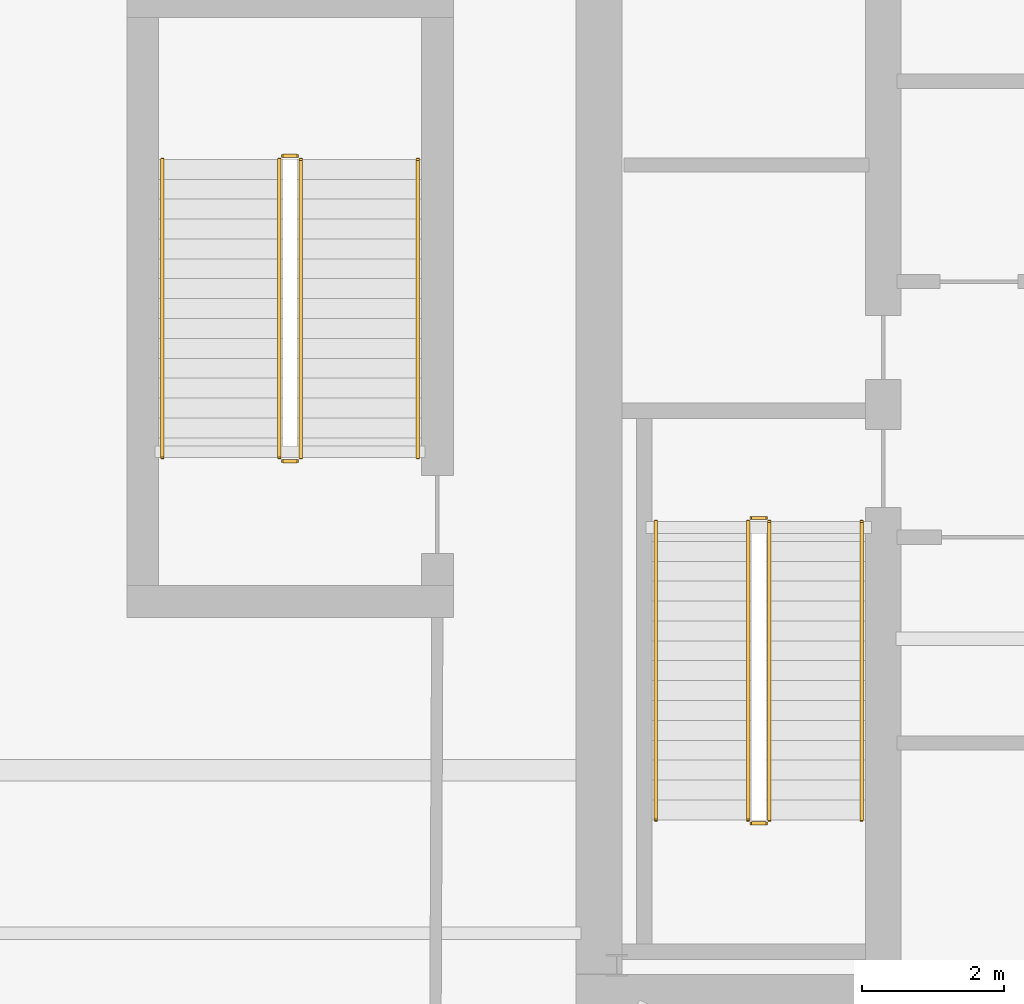
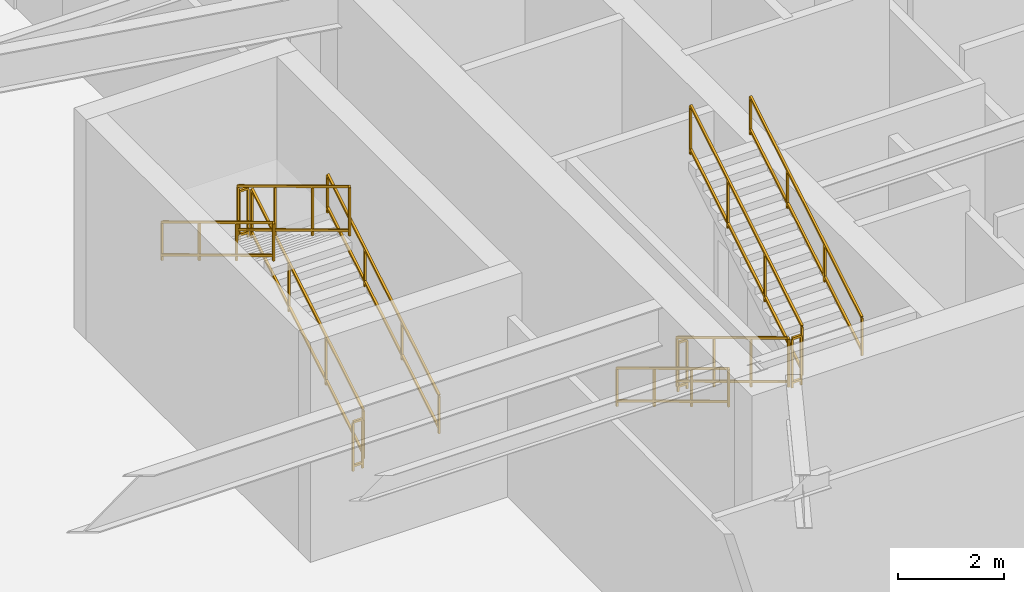
# One storey, part 8 of 11: 12 railings.
"""IFC4 building model written with IfcOpenShell, lengths in metres."""

from ifc_helpers import new_model, si_unit, direction, frame, origin, origin_2d, place, context, subcontext, project, spatial, rectangle, extrude, material, type_object, element, save


model = new_model("IFC4")

# Units and contexts
model_context = context("Model", 3, precision=1e-05, world=origin(), true_north=direction((0.0, 1.0)))
body_context = subcontext(model_context, "Body", "Model", "MODEL_VIEW")
ifc_project = project(units=[si_unit("LENGTHUNIT", "METRE"), si_unit("AREAUNIT", "SQUARE_METRE"), si_unit("VOLUMEUNIT", "CUBIC_METRE"), si_unit("PLANEANGLEUNIT", "RADIAN"), si_unit("MASSUNIT", "GRAM", prefix="KILO")], contexts=[model_context])

# Site, building, storey
site_placement = place(None, origin())
site = spatial("IfcSite", under=ifc_project, at=site_placement, CompositionType="ELEMENT")
building_placement = place(site_placement, origin())
building = spatial("IfcBuilding", under=site, at=building_placement, Name="Qarnah Convention Tower", CompositionType="ELEMENT")
storey_placement = place(building_placement, frame((0.0, 0.0, 10.800048828125)))
storey = spatial("IfcBuildingStorey", under=building, at=storey_placement, Name="L02", CompositionType="ELEMENT", Elevation=10.800048828125)

# Railings
ifc_material = material(Name="Structural steel S355JR", Category="steel")
railing_type_1 = type_object("IfcRailingType", Name="RL-STAIR-GUARD-1150", PredefinedType="GUARDRAIL", material=ifc_material)
railing_1_placement = place(storey_placement, frame((28.89990234375, 25.300048828125, 0.168701171875)))
element("IfcRailing", 1, at=railing_1_placement, inside=storey, type_object=railing_type_1, Name="L02 ST-1 stair guard 1", PredefinedType="GUARDRAIL", context=body_context, shape_type="SweptSolid", body=[
    extrude(rectangle(XDim=0.048095703125, YDim=0.048095703125, at=origin_2d()), frame((0.0, 0.0, 1.1259765625), z_axis=(0.0, -0.856476492594, 0.516186030065), x_axis=(1.0, 0.0, 0.0)), (0.0, 0.0, 1.0), 4.90380859375),
    extrude(rectangle(XDim=0.048095703125, YDim=0.048095703125, at=origin_2d()), frame((0.0, 0.0, 0.1201171875), z_axis=(0.0, -0.856476492594, 0.516186030065), x_axis=(1.0, 0.0, 0.0)), (0.0, 0.0, 1.0), 4.90380859375),
    extrude(rectangle(XDim=0.0419921875, YDim=0.0419921875, at=origin_2d()), origin(), (0.0, 0.0, 1.0), 1.101806640625),
    extrude(rectangle(XDim=0.0419921875, YDim=0.0419921875, at=origin_2d()), frame((0.0, -1.39990234375, 0.84375)), (0.0, 0.0, 1.0), 1.101806640625),
    extrude(rectangle(XDim=0.0419921875, YDim=0.0419921875, at=origin_2d()), frame((0.0, -2.800048828125, 1.6875)), (0.0, 0.0, 1.0), 1.101806640625),
    extrude(rectangle(XDim=0.0419921875, YDim=0.0419921875, at=origin_2d()), frame((0.0, -4.199951171875, 2.53125)), (0.0, 0.0, 1.0), 1.101806640625),
])
railing_2_placement = place(storey_placement, frame((28.949951171875, 21.050048828125, 2.699951171875)))
element("IfcRailing", 2, at=railing_2_placement, inside=storey, type_object=railing_type_1, Name="L02 ST-1 stair guard 2", PredefinedType="GUARDRAIL", context=body_context, shape_type="SweptSolid", body=[
    extrude(rectangle(XDim=0.048095703125, YDim=0.048095703125, at=origin_2d()), frame((0.0, 0.0, 1.1259765625), z_axis=(1.0, 0.0, 0.0), x_axis=(0.0, 1.0, 0.0)), (0.0, 0.0, 1.0), 0.199951171875),
    extrude(rectangle(XDim=0.048095703125, YDim=0.048095703125, at=origin_2d()), frame((0.0, 0.0, 0.1201171875), z_axis=(1.0, 0.0, 0.0), x_axis=(0.0, 1.0, 0.0)), (0.0, 0.0, 1.0), 0.199951171875),
    extrude(rectangle(XDim=0.0419921875, YDim=0.0419921875, at=origin_2d()), origin(), (0.0, 0.0, 1.0), 1.101806640625),
    extrude(rectangle(XDim=0.0419921875, YDim=0.0419921875, at=origin_2d()), frame((0.199951171875, 0.0, 0.0)), (0.0, 0.0, 1.0), 1.101806640625),
])
railing_3_placement = place(storey_placement, frame((29.199951171875, 21.10009765625, 2.86865234375)))
element("IfcRailing", 3, at=railing_3_placement, inside=storey, type_object=railing_type_1, Name="L02 ST-1 stair guard 3", PredefinedType="GUARDRAIL", context=body_context, shape_type="SweptSolid", body=[
    extrude(rectangle(XDim=0.048095703125, YDim=0.048095703125, at=origin_2d()), frame((0.0, 0.0, 1.1259765625), z_axis=(0.0, 0.856476492594, 0.516186030065), x_axis=(-1.0, 0.0, 0.0)), (0.0, 0.0, 1.0), 4.90380859375),
    extrude(rectangle(XDim=0.048095703125, YDim=0.048095703125, at=origin_2d()), frame((0.0, 0.0, 0.1201171875), z_axis=(0.0, 0.856476492594, 0.516186030065), x_axis=(-1.0, 0.0, 0.0)), (0.0, 0.0, 1.0), 4.90380859375),
    extrude(rectangle(XDim=0.0419921875, YDim=0.0419921875, at=origin_2d()), origin(), (0.0, 0.0, 1.0), 1.101806640625),
    extrude(rectangle(XDim=0.0419921875, YDim=0.0419921875, at=origin_2d()), frame((0.0, 1.39990234375, 0.84375)), (0.0, 0.0, 1.0), 1.101806640625),
    extrude(rectangle(XDim=0.0419921875, YDim=0.0419921875, at=origin_2d()), frame((0.0, 2.800048828125, 1.6875)), (0.0, 0.0, 1.0), 1.101806640625),
    extrude(rectangle(XDim=0.0419921875, YDim=0.0419921875, at=origin_2d()), frame((0.0, 4.199951171875, 2.53125)), (0.0, 0.0, 1.0), 1.101806640625),
])
railing_4_placement = place(storey_placement, frame((28.949951171875, 25.35009765625, 0.0)))
element("IfcRailing", 4, at=railing_4_placement, inside=storey, type_object=railing_type_1, Name="L02 ST-1 stair guard 4", PredefinedType="GUARDRAIL", context=body_context, shape_type="SweptSolid", body=[
    extrude(rectangle(XDim=0.048095703125, YDim=0.048095703125, at=origin_2d()), frame((0.0, 0.0, 1.1259765625), z_axis=(1.0, 0.0, 0.0), x_axis=(0.0, 1.0, 0.0)), (0.0, 0.0, 1.0), 0.199951171875),
    extrude(rectangle(XDim=0.048095703125, YDim=0.048095703125, at=origin_2d()), frame((0.0, 0.0, 0.1201171875), z_axis=(1.0, 0.0, 0.0), x_axis=(0.0, 1.0, 0.0)), (0.0, 0.0, 1.0), 0.199951171875),
    extrude(rectangle(XDim=0.0419921875, YDim=0.0419921875, at=origin_2d()), origin(), (0.0, 0.0, 1.0), 1.101806640625),
    extrude(rectangle(XDim=0.0419921875, YDim=0.0419921875, at=origin_2d()), frame((0.199951171875, 0.0, 0.0)), (0.0, 0.0, 1.0), 1.101806640625),
])
railing_5_placement = place(storey_placement, frame((22.60009765625, 26.199951171875, 0.168701171875)))
element("IfcRailing", 5, at=railing_5_placement, inside=storey, type_object=railing_type_1, Name="L02 ST-5 stair guard 1", PredefinedType="GUARDRAIL", context=body_context, shape_type="SweptSolid", body=[
    extrude(rectangle(XDim=0.048095703125, YDim=0.048095703125, at=origin_2d()), frame((0.0, 0.0, 1.1259765625), z_axis=(0.0, 0.856476492594, 0.516186030065), x_axis=(-1.0, 0.0, 0.0)), (0.0, 0.0, 1.0), 4.90380859375),
    extrude(rectangle(XDim=0.048095703125, YDim=0.048095703125, at=origin_2d()), frame((0.0, 0.0, 0.1201171875), z_axis=(0.0, 0.856476492594, 0.516186030065), x_axis=(-1.0, 0.0, 0.0)), (0.0, 0.0, 1.0), 4.90380859375),
    extrude(rectangle(XDim=0.0419921875, YDim=0.0419921875, at=origin_2d()), origin(), (0.0, 0.0, 1.0), 1.101806640625),
    extrude(rectangle(XDim=0.0419921875, YDim=0.0419921875, at=origin_2d()), frame((0.0, 1.39990234375, 0.84375)), (0.0, 0.0, 1.0), 1.101806640625),
    extrude(rectangle(XDim=0.0419921875, YDim=0.0419921875, at=origin_2d()), frame((0.0, 2.800048828125, 1.6875)), (0.0, 0.0, 1.0), 1.101806640625),
    extrude(rectangle(XDim=0.0419921875, YDim=0.0419921875, at=origin_2d()), frame((0.0, 4.199951171875, 2.53125)), (0.0, 0.0, 1.0), 1.101806640625),
])
railing_6_placement = place(storey_placement, frame((22.550048828125, 30.449951171875, 2.699951171875)))
element("IfcRailing", 6, at=railing_6_placement, inside=storey, type_object=railing_type_1, Name="L02 ST-5 stair guard 2", PredefinedType="GUARDRAIL", context=body_context, shape_type="SweptSolid", body=[
    extrude(rectangle(XDim=0.048095703125, YDim=0.048095703125, at=origin_2d()), frame((0.0, 0.0, 1.1259765625), z_axis=(-1.0, 0.0, 0.0), x_axis=(0.0, -1.0, 0.0)), (0.0, 0.0, 1.0), 0.199951171875),
    extrude(rectangle(XDim=0.048095703125, YDim=0.048095703125, at=origin_2d()), frame((0.0, 0.0, 0.1201171875), z_axis=(-1.0, 0.0, 0.0), x_axis=(0.0, -1.0, 0.0)), (0.0, 0.0, 1.0), 0.199951171875),
    extrude(rectangle(XDim=0.0419921875, YDim=0.0419921875, at=origin_2d()), origin(), (0.0, 0.0, 1.0), 1.101806640625),
    extrude(rectangle(XDim=0.0419921875, YDim=0.0419921875, at=origin_2d()), frame((-0.199951171875, 0.0, 0.0)), (0.0, 0.0, 1.0), 1.101806640625),
])
railing_7_placement = place(storey_placement, frame((22.300048828125, 30.39990234375, 2.86865234375)))
element("IfcRailing", 7, at=railing_7_placement, inside=storey, type_object=railing_type_1, Name="L02 ST-5 stair guard 3", PredefinedType="GUARDRAIL", context=body_context, shape_type="SweptSolid", body=[
    extrude(rectangle(XDim=0.048095703125, YDim=0.048095703125, at=origin_2d()), frame((0.0, 0.0, 1.1259765625), z_axis=(0.0, -0.856476492594, 0.516186030065), x_axis=(1.0, 0.0, 0.0)), (0.0, 0.0, 1.0), 4.90380859375),
    extrude(rectangle(XDim=0.048095703125, YDim=0.048095703125, at=origin_2d()), frame((0.0, 0.0, 0.1201171875), z_axis=(0.0, -0.856476492594, 0.516186030065), x_axis=(1.0, 0.0, 0.0)), (0.0, 0.0, 1.0), 4.90380859375),
    extrude(rectangle(XDim=0.0419921875, YDim=0.0419921875, at=origin_2d()), origin(), (0.0, 0.0, 1.0), 1.101806640625),
    extrude(rectangle(XDim=0.0419921875, YDim=0.0419921875, at=origin_2d()), frame((0.0, -1.39990234375, 0.84375)), (0.0, 0.0, 1.0), 1.101806640625),
    extrude(rectangle(XDim=0.0419921875, YDim=0.0419921875, at=origin_2d()), frame((0.0, -2.800048828125, 1.6875)), (0.0, 0.0, 1.0), 1.101806640625),
    extrude(rectangle(XDim=0.0419921875, YDim=0.0419921875, at=origin_2d()), frame((0.0, -4.199951171875, 2.53125)), (0.0, 0.0, 1.0), 1.101806640625),
])
railing_8_placement = place(storey_placement, frame((22.550048828125, 26.14990234375, 0.0)))
element("IfcRailing", 8, at=railing_8_placement, inside=storey, type_object=railing_type_1, Name="L02 ST-5 stair guard 4", PredefinedType="GUARDRAIL", context=body_context, shape_type="SweptSolid", body=[
    extrude(rectangle(XDim=0.048095703125, YDim=0.048095703125, at=origin_2d()), frame((0.0, 0.0, 1.1259765625), z_axis=(-1.0, 0.0, 0.0), x_axis=(0.0, -1.0, 0.0)), (0.0, 0.0, 1.0), 0.199951171875),
    extrude(rectangle(XDim=0.048095703125, YDim=0.048095703125, at=origin_2d()), frame((0.0, 0.0, 0.1201171875), z_axis=(-1.0, 0.0, 0.0), x_axis=(0.0, -1.0, 0.0)), (0.0, 0.0, 1.0), 0.199951171875),
    extrude(rectangle(XDim=0.0419921875, YDim=0.0419921875, at=origin_2d()), origin(), (0.0, 0.0, 1.0), 1.101806640625),
    extrude(rectangle(XDim=0.0419921875, YDim=0.0419921875, at=origin_2d()), frame((-0.199951171875, 0.0, 0.0)), (0.0, 0.0, 1.0), 1.101806640625),
])
railing_type_2 = type_object("IfcRailingType", Name="RL-STAIR-HAND-900", PredefinedType="HANDRAIL", material=ifc_material)
railing_9_placement = place(storey_placement, frame((27.60009765625, 25.300048828125, 0.168701171875)))
element("IfcRailing", 9, at=railing_9_placement, inside=storey, type_object=railing_type_2, Name="L02 ST-1 stair handrail 1", PredefinedType="HANDRAIL", context=body_context, shape_type="SweptSolid", body=[
    extrude(rectangle(XDim=0.048095703125, YDim=0.048095703125, at=origin_2d()), frame((0.0, 0.0, 0.8759765625), z_axis=(0.0, -0.856476492594, 0.516186030065), x_axis=(1.0, 0.0, 0.0)), (0.0, 0.0, 1.0), 4.90380859375),
    extrude(rectangle(XDim=0.048095703125, YDim=0.048095703125, at=origin_2d()), frame((0.0, 0.0, 0.1201171875), z_axis=(0.0, -0.856476492594, 0.516186030065), x_axis=(1.0, 0.0, 0.0)), (0.0, 0.0, 1.0), 4.90380859375),
    extrude(rectangle(XDim=0.0419921875, YDim=0.0419921875, at=origin_2d()), origin(), (0.0, 0.0, 1.0), 0.851806640625),
    extrude(rectangle(XDim=0.0419921875, YDim=0.0419921875, at=origin_2d()), frame((0.0, -1.39990234375, 0.84375)), (0.0, 0.0, 1.0), 0.851806640625),
    extrude(rectangle(XDim=0.0419921875, YDim=0.0419921875, at=origin_2d()), frame((0.0, -2.800048828125, 1.6875)), (0.0, 0.0, 1.0), 0.851806640625),
    extrude(rectangle(XDim=0.0419921875, YDim=0.0419921875, at=origin_2d()), frame((0.0, -4.199951171875, 2.53125)), (0.0, 0.0, 1.0), 0.851806640625),
])
for number, where, name in (
    (10, (30.5, 21.10009765625, 2.86865234375), "L02 ST-1 stair handrail 2"),
    (11, (24.25, 26.199951171875, 0.168701171875), "L02 ST-5 stair handrail 1"),
):
    element("IfcRailing", number, at=place(storey_placement, frame(where)), inside=storey, type_object=railing_type_2, Name=name, PredefinedType="HANDRAIL", context=body_context, shape_type="SweptSolid", body=[
        extrude(rectangle(XDim=0.048095703125, YDim=0.048095703125, at=origin_2d()), frame((0.0, 0.0, 0.8759765625), z_axis=(0.0, 0.856476492594, 0.516186030065), x_axis=(-1.0, 0.0, 0.0)), (0.0, 0.0, 1.0), 4.90380859375),
        extrude(rectangle(XDim=0.048095703125, YDim=0.048095703125, at=origin_2d()), frame((0.0, 0.0, 0.1201171875), z_axis=(0.0, 0.856476492594, 0.516186030065), x_axis=(-1.0, 0.0, 0.0)), (0.0, 0.0, 1.0), 4.90380859375),
        extrude(rectangle(XDim=0.0419921875, YDim=0.0419921875, at=origin_2d()), origin(), (0.0, 0.0, 1.0), 0.851806640625),
        extrude(rectangle(XDim=0.0419921875, YDim=0.0419921875, at=origin_2d()), frame((0.0, 1.39990234375, 0.84375)), (0.0, 0.0, 1.0), 0.851806640625),
        extrude(rectangle(XDim=0.0419921875, YDim=0.0419921875, at=origin_2d()), frame((0.0, 2.800048828125, 1.6875)), (0.0, 0.0, 1.0), 0.851806640625),
        extrude(rectangle(XDim=0.0419921875, YDim=0.0419921875, at=origin_2d()), frame((0.0, 4.199951171875, 2.53125)), (0.0, 0.0, 1.0), 0.851806640625),
    ])
railing_10_placement = place(storey_placement, frame((20.64990234375, 30.39990234375, 2.86865234375)))
element("IfcRailing", 12, at=railing_10_placement, inside=storey, type_object=railing_type_2, Name="L02 ST-5 stair handrail 2", PredefinedType="HANDRAIL", context=body_context, shape_type="SweptSolid", body=[
    extrude(rectangle(XDim=0.048095703125, YDim=0.048095703125, at=origin_2d()), frame((0.0, 0.0, 0.8759765625), z_axis=(0.0, -0.856476492594, 0.516186030065), x_axis=(1.0, 0.0, 0.0)), (0.0, 0.0, 1.0), 4.90380859375),
    extrude(rectangle(XDim=0.048095703125, YDim=0.048095703125, at=origin_2d()), frame((0.0, 0.0, 0.1201171875), z_axis=(0.0, -0.856476492594, 0.516186030065), x_axis=(1.0, 0.0, 0.0)), (0.0, 0.0, 1.0), 4.90380859375),
    extrude(rectangle(XDim=0.0419921875, YDim=0.0419921875, at=origin_2d()), origin(), (0.0, 0.0, 1.0), 0.851806640625),
    extrude(rectangle(XDim=0.0419921875, YDim=0.0419921875, at=origin_2d()), frame((0.0, -1.39990234375, 0.84375)), (0.0, 0.0, 1.0), 0.851806640625),
    extrude(rectangle(XDim=0.0419921875, YDim=0.0419921875, at=origin_2d()), frame((0.0, -2.800048828125, 1.6875)), (0.0, 0.0, 1.0), 0.851806640625),
    extrude(rectangle(XDim=0.0419921875, YDim=0.0419921875, at=origin_2d()), frame((0.0, -4.199951171875, 2.53125)), (0.0, 0.0, 1.0), 0.851806640625),
])

save(model, "model.ifc")
